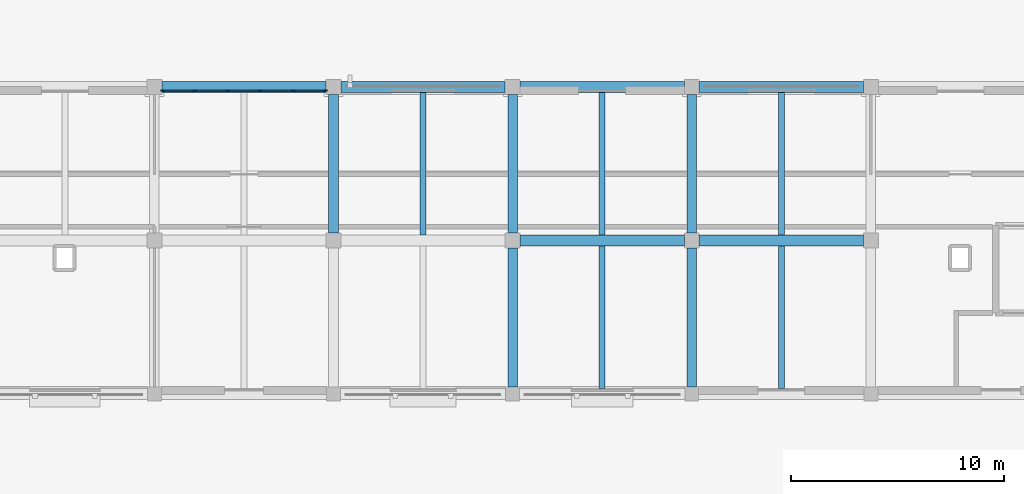
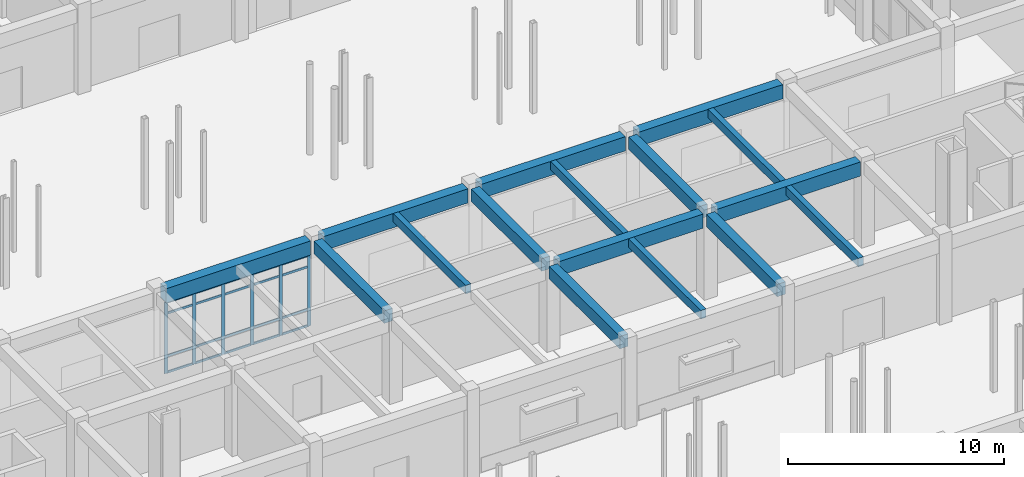
# One storey, part 47 of 121: 26 members, 16 beams, 1 element without a shape of its own.
"""IFC4 building model written with IfcOpenShell, lengths in metres."""

from ifc_helpers import new_model, si_unit, direction, frame, origin, origin_2d, place, context, subcontext, project, spatial, rectangle, extrude, material, material_profile, profile_set, type_object, element, aggregate, save


model = new_model("IFC4")

# Units and contexts
model_context = context("Model", 3, precision=1e-05, world=origin(), true_north=direction((0.0, 1.0)))
body_context = subcontext(model_context, "Body", "Model", "MODEL_VIEW")
ifc_project = project(units=[si_unit("LENGTHUNIT", "METRE"), si_unit("AREAUNIT", "SQUARE_METRE"), si_unit("VOLUMEUNIT", "CUBIC_METRE"), si_unit("PLANEANGLEUNIT", "RADIAN"), si_unit("MASSUNIT", "GRAM", prefix="KILO")], contexts=[model_context])

# Site, building, storey
site_placement = place(None, origin())
site = spatial("IfcSite", under=ifc_project, at=site_placement, CompositionType="ELEMENT")
building_placement = place(site_placement, origin())
building = spatial("IfcBuilding", under=site, at=building_placement, Name="Malvenik Polytechnic", CompositionType="ELEMENT")
storey_placement = place(building_placement, origin())
storey = spatial("IfcBuildingStorey", under=building, at=storey_placement, Name="L00", CompositionType="ELEMENT", Elevation=0.0)

# Curtain wall, members
ifc_material_1 = material(Name="Anodised aluminium 6060-T6", Category="aluminium")
curtain_wall_type = type_object("IfcCurtainWallType", Name="ARC-CW-CW-01", PredefinedType="NOTDEFINED", material=ifc_material_1)
curtain_wall_placement = place(storey_placement, origin())
curtain_wall = element("IfcCurtainWall", 1, at=curtain_wall_placement, inside=storey, type_object=curtain_wall_type, Name="Unitised Curtain Wall CW-01 L00 #7", PredefinedType="NOTDEFINED")
ifc_material_2 = material(Name="Anodised aluminium", Category="aluminium")
ifc_material_profile_1 = material_profile(ifc_material_2, rectangle(XDim=0.06005859375, YDim=0.179931640625, at=origin_2d()), Name="ALU MULLION 60x180")
ifc_profile_set_1 = profile_set([ifc_material_profile_1], Name="Anodised aluminium")
member_type_1 = type_object("IfcMemberType", Name="ARC-CWM-180", PredefinedType="MULLION", material=ifc_profile_set_1)
member_1_placement = place(storey_placement, frame((33.97802734375, 93.429931640625, 0.0), z_axis=(0.0, 0.0, 1.0), x_axis=(0.0, 1.0, 0.0)))
member_1 = element("IfcMember", 2, at=member_1_placement, type_object=member_type_1, Name="CW-01 mullion 1", PredefinedType="MULLION", context=body_context, shape_type="SweptSolid", body=[
    extrude(rectangle(XDim=0.06005859375, YDim=0.179931640625, at=origin_2d()), origin(), (0.0, 0.0, 1.0), 4.010009765625),
])
member_2_placement = place(storey_placement, frame((35.48876953125, 93.429931640625, 0.0), z_axis=(0.0, 0.0, 1.0), x_axis=(0.0, 1.0, 0.0)))
member_2 = element("IfcMember", 3, at=member_2_placement, type_object=member_type_1, Name="CW-01 mullion 2", PredefinedType="MULLION", context=body_context, shape_type="SweptSolid", body=[
    extrude(rectangle(XDim=0.06005859375, YDim=0.179931640625, at=origin_2d()), origin(), (0.0, 0.0, 1.0), 4.010009765625),
])
member_3_placement = place(storey_placement, frame((37.029541015625, 93.429931640625, 0.0), z_axis=(0.0, 0.0, 1.0), x_axis=(0.0, 1.0, 0.0)))
member_3 = element("IfcMember", 4, at=member_3_placement, type_object=member_type_1, Name="CW-01 mullion 3", PredefinedType="MULLION", context=body_context, shape_type="SweptSolid", body=[
    extrude(rectangle(XDim=0.06005859375, YDim=0.179931640625, at=origin_2d()), origin(), (0.0, 0.0, 1.0), 4.010009765625),
])
member_4_placement = place(storey_placement, frame((38.5703125, 93.429931640625, 0.0), z_axis=(0.0, 0.0, 1.0), x_axis=(0.0, 1.0, 0.0)))
member_4 = element("IfcMember", 5, at=member_4_placement, type_object=member_type_1, Name="CW-01 mullion 4", PredefinedType="MULLION", context=body_context, shape_type="SweptSolid", body=[
    extrude(rectangle(XDim=0.06005859375, YDim=0.179931640625, at=origin_2d()), origin(), (0.0, 0.0, 1.0), 4.010009765625),
])
member_5_placement = place(storey_placement, frame((40.111083984375, 93.429931640625, 0.0), z_axis=(0.0, 0.0, 1.0), x_axis=(0.0, 1.0, 0.0)))
member_5 = element("IfcMember", 6, at=member_5_placement, type_object=member_type_1, Name="CW-01 mullion 5", PredefinedType="MULLION", context=body_context, shape_type="SweptSolid", body=[
    extrude(rectangle(XDim=0.06005859375, YDim=0.179931640625, at=origin_2d()), origin(), (0.0, 0.0, 1.0), 4.010009765625),
])
member_6_placement = place(storey_placement, frame((41.6220703125, 93.429931640625, 0.0), z_axis=(0.0, 0.0, 1.0), x_axis=(0.0, 1.0, 0.0)))
member_6 = element("IfcMember", 7, at=member_6_placement, type_object=member_type_1, Name="CW-01 mullion 6", PredefinedType="MULLION", context=body_context, shape_type="SweptSolid", body=[
    extrude(rectangle(XDim=0.06005859375, YDim=0.179931640625, at=origin_2d()), origin(), (0.0, 0.0, 1.0), 4.010009765625),
])
ifc_material_profile_2 = material_profile(ifc_material_2, rectangle(XDim=0.06005859375, YDim=0.1201171875, at=origin_2d()), Name="ALU TRANSOM 60x120")
ifc_profile_set_2 = profile_set([ifc_material_profile_2], Name="Anodised aluminium")
member_type_2 = type_object("IfcMemberType", Name="ARC-CWT-120", PredefinedType="USERDEFINED", material=ifc_profile_set_2)
member_7_placement = place(storey_placement, frame((34.008056640625, 93.429931640625, 0.030029296875), z_axis=(1.0, 0.0, 0.0), x_axis=(0.0, 1.0, 0.0)))
member_7 = element("IfcMember", 8, at=member_7_placement, type_object=member_type_2, Name="CW-01 transom 1.1", ObjectType="TRANSOM", PredefinedType="USERDEFINED", context=body_context, shape_type="SweptSolid", body=[
    extrude(rectangle(XDim=0.06005859375, YDim=0.1201171875, at=origin_2d()), origin(), (0.0, 0.0, 1.0), 1.45068359375),
])
member_8_placement = place(storey_placement, frame((34.008056640625, 93.429931640625, 0.949951171875), z_axis=(1.0, 0.0, 0.0), x_axis=(0.0, 1.0, 0.0)))
member_8 = element("IfcMember", 9, at=member_8_placement, type_object=member_type_2, Name="CW-01 transom 1.2", ObjectType="TRANSOM", PredefinedType="USERDEFINED", context=body_context, shape_type="SweptSolid", body=[
    extrude(rectangle(XDim=0.06005859375, YDim=0.1201171875, at=origin_2d()), origin(), (0.0, 0.0, 1.0), 1.45068359375),
])
member_9_placement = place(storey_placement, frame((34.008056640625, 93.429931640625, 3.360107421875), z_axis=(1.0, 0.0, 0.0), x_axis=(0.0, 1.0, 0.0)))
member_9 = element("IfcMember", 10, at=member_9_placement, type_object=member_type_2, Name="CW-01 transom 1.3", ObjectType="TRANSOM", PredefinedType="USERDEFINED", context=body_context, shape_type="SweptSolid", body=[
    extrude(rectangle(XDim=0.06005859375, YDim=0.1201171875, at=origin_2d()), origin(), (0.0, 0.0, 1.0), 1.45068359375),
])
member_10_placement = place(storey_placement, frame((34.008056640625, 93.429931640625, 3.97998046875), z_axis=(1.0, 0.0, 0.0), x_axis=(0.0, 1.0, 0.0)))
member_10 = element("IfcMember", 11, at=member_10_placement, type_object=member_type_2, Name="CW-01 transom 1.4", ObjectType="TRANSOM", PredefinedType="USERDEFINED", context=body_context, shape_type="SweptSolid", body=[
    extrude(rectangle(XDim=0.06005859375, YDim=0.1201171875, at=origin_2d()), origin(), (0.0, 0.0, 1.0), 1.45068359375),
])
member_11_placement = place(storey_placement, frame((35.518798828125, 93.429931640625, 0.030029296875), z_axis=(1.0, 0.0, 0.0), x_axis=(0.0, 1.0, 0.0)))
member_11 = element("IfcMember", 12, at=member_11_placement, type_object=member_type_2, Name="CW-01 transom 2.1", ObjectType="TRANSOM", PredefinedType="USERDEFINED", context=body_context, shape_type="SweptSolid", body=[
    extrude(rectangle(XDim=0.06005859375, YDim=0.1201171875, at=origin_2d()), origin(), (0.0, 0.0, 1.0), 1.480712890625),
])
member_12_placement = place(storey_placement, frame((35.518798828125, 93.429931640625, 0.949951171875), z_axis=(1.0, 0.0, 0.0), x_axis=(0.0, 1.0, 0.0)))
member_12 = element("IfcMember", 13, at=member_12_placement, type_object=member_type_2, Name="CW-01 transom 2.2", ObjectType="TRANSOM", PredefinedType="USERDEFINED", context=body_context, shape_type="SweptSolid", body=[
    extrude(rectangle(XDim=0.06005859375, YDim=0.1201171875, at=origin_2d()), origin(), (0.0, 0.0, 1.0), 1.480712890625),
])
member_13_placement = place(storey_placement, frame((35.518798828125, 93.429931640625, 3.360107421875), z_axis=(1.0, 0.0, 0.0), x_axis=(0.0, 1.0, 0.0)))
member_13 = element("IfcMember", 14, at=member_13_placement, type_object=member_type_2, Name="CW-01 transom 2.3", ObjectType="TRANSOM", PredefinedType="USERDEFINED", context=body_context, shape_type="SweptSolid", body=[
    extrude(rectangle(XDim=0.06005859375, YDim=0.1201171875, at=origin_2d()), origin(), (0.0, 0.0, 1.0), 1.480712890625),
])
member_14_placement = place(storey_placement, frame((35.518798828125, 93.429931640625, 3.97998046875), z_axis=(1.0, 0.0, 0.0), x_axis=(0.0, 1.0, 0.0)))
member_14 = element("IfcMember", 15, at=member_14_placement, type_object=member_type_2, Name="CW-01 transom 2.4", ObjectType="TRANSOM", PredefinedType="USERDEFINED", context=body_context, shape_type="SweptSolid", body=[
    extrude(rectangle(XDim=0.06005859375, YDim=0.1201171875, at=origin_2d()), origin(), (0.0, 0.0, 1.0), 1.480712890625),
])
member_15_placement = place(storey_placement, frame((37.0595703125, 93.429931640625, 0.030029296875), z_axis=(1.0, 0.0, 0.0), x_axis=(0.0, 1.0, 0.0)))
member_15 = element("IfcMember", 16, at=member_15_placement, type_object=member_type_2, Name="CW-01 transom 3.1", ObjectType="TRANSOM", PredefinedType="USERDEFINED", context=body_context, shape_type="SweptSolid", body=[
    extrude(rectangle(XDim=0.06005859375, YDim=0.1201171875, at=origin_2d()), origin(), (0.0, 0.0, 1.0), 1.480712890625),
])
member_16_placement = place(storey_placement, frame((37.0595703125, 93.429931640625, 0.949951171875), z_axis=(1.0, 0.0, 0.0), x_axis=(0.0, 1.0, 0.0)))
member_16 = element("IfcMember", 17, at=member_16_placement, type_object=member_type_2, Name="CW-01 transom 3.2", ObjectType="TRANSOM", PredefinedType="USERDEFINED", context=body_context, shape_type="SweptSolid", body=[
    extrude(rectangle(XDim=0.06005859375, YDim=0.1201171875, at=origin_2d()), origin(), (0.0, 0.0, 1.0), 1.480712890625),
])
member_17_placement = place(storey_placement, frame((37.0595703125, 93.429931640625, 3.360107421875), z_axis=(1.0, 0.0, 0.0), x_axis=(0.0, 1.0, 0.0)))
member_17 = element("IfcMember", 18, at=member_17_placement, type_object=member_type_2, Name="CW-01 transom 3.3", ObjectType="TRANSOM", PredefinedType="USERDEFINED", context=body_context, shape_type="SweptSolid", body=[
    extrude(rectangle(XDim=0.06005859375, YDim=0.1201171875, at=origin_2d()), origin(), (0.0, 0.0, 1.0), 1.480712890625),
])
member_18_placement = place(storey_placement, frame((37.0595703125, 93.429931640625, 3.97998046875), z_axis=(1.0, 0.0, 0.0), x_axis=(0.0, 1.0, 0.0)))
member_18 = element("IfcMember", 19, at=member_18_placement, type_object=member_type_2, Name="CW-01 transom 3.4", ObjectType="TRANSOM", PredefinedType="USERDEFINED", context=body_context, shape_type="SweptSolid", body=[
    extrude(rectangle(XDim=0.06005859375, YDim=0.1201171875, at=origin_2d()), origin(), (0.0, 0.0, 1.0), 1.480712890625),
])
member_19_placement = place(storey_placement, frame((38.600341796875, 93.429931640625, 0.030029296875), z_axis=(1.0, 0.0, 0.0), x_axis=(0.0, 1.0, 0.0)))
member_19 = element("IfcMember", 20, at=member_19_placement, type_object=member_type_2, Name="CW-01 transom 4.1", ObjectType="TRANSOM", PredefinedType="USERDEFINED", context=body_context, shape_type="SweptSolid", body=[
    extrude(rectangle(XDim=0.06005859375, YDim=0.1201171875, at=origin_2d()), origin(), (0.0, 0.0, 1.0), 1.48095703125),
])
member_20_placement = place(storey_placement, frame((38.600341796875, 93.429931640625, 0.949951171875), z_axis=(1.0, 0.0, 0.0), x_axis=(0.0, 1.0, 0.0)))
member_20 = element("IfcMember", 21, at=member_20_placement, type_object=member_type_2, Name="CW-01 transom 4.2", ObjectType="TRANSOM", PredefinedType="USERDEFINED", context=body_context, shape_type="SweptSolid", body=[
    extrude(rectangle(XDim=0.06005859375, YDim=0.1201171875, at=origin_2d()), origin(), (0.0, 0.0, 1.0), 1.48095703125),
])
member_21_placement = place(storey_placement, frame((38.600341796875, 93.429931640625, 3.360107421875), z_axis=(1.0, 0.0, 0.0), x_axis=(0.0, 1.0, 0.0)))
member_21 = element("IfcMember", 22, at=member_21_placement, type_object=member_type_2, Name="CW-01 transom 4.3", ObjectType="TRANSOM", PredefinedType="USERDEFINED", context=body_context, shape_type="SweptSolid", body=[
    extrude(rectangle(XDim=0.06005859375, YDim=0.1201171875, at=origin_2d()), origin(), (0.0, 0.0, 1.0), 1.48095703125),
])
member_22_placement = place(storey_placement, frame((38.600341796875, 93.429931640625, 3.97998046875), z_axis=(1.0, 0.0, 0.0), x_axis=(0.0, 1.0, 0.0)))
member_22 = element("IfcMember", 23, at=member_22_placement, type_object=member_type_2, Name="CW-01 transom 4.4", ObjectType="TRANSOM", PredefinedType="USERDEFINED", context=body_context, shape_type="SweptSolid", body=[
    extrude(rectangle(XDim=0.06005859375, YDim=0.1201171875, at=origin_2d()), origin(), (0.0, 0.0, 1.0), 1.48095703125),
])
member_23_placement = place(storey_placement, frame((40.14111328125, 93.429931640625, 0.030029296875), z_axis=(1.0, 0.0, 0.0), x_axis=(0.0, 1.0, 0.0)))
member_23 = element("IfcMember", 24, at=member_23_placement, type_object=member_type_2, Name="CW-01 transom 5.1", ObjectType="TRANSOM", PredefinedType="USERDEFINED", context=body_context, shape_type="SweptSolid", body=[
    extrude(rectangle(XDim=0.06005859375, YDim=0.1201171875, at=origin_2d()), origin(), (0.0, 0.0, 1.0), 1.450927734375),
])
member_24_placement = place(storey_placement, frame((40.14111328125, 93.429931640625, 0.949951171875), z_axis=(1.0, 0.0, 0.0), x_axis=(0.0, 1.0, 0.0)))
member_24 = element("IfcMember", 25, at=member_24_placement, type_object=member_type_2, Name="CW-01 transom 5.2", ObjectType="TRANSOM", PredefinedType="USERDEFINED", context=body_context, shape_type="SweptSolid", body=[
    extrude(rectangle(XDim=0.06005859375, YDim=0.1201171875, at=origin_2d()), origin(), (0.0, 0.0, 1.0), 1.450927734375),
])
member_25_placement = place(storey_placement, frame((40.14111328125, 93.429931640625, 3.360107421875), z_axis=(1.0, 0.0, 0.0), x_axis=(0.0, 1.0, 0.0)))
member_25 = element("IfcMember", 26, at=member_25_placement, type_object=member_type_2, Name="CW-01 transom 5.3", ObjectType="TRANSOM", PredefinedType="USERDEFINED", context=body_context, shape_type="SweptSolid", body=[
    extrude(rectangle(XDim=0.06005859375, YDim=0.1201171875, at=origin_2d()), origin(), (0.0, 0.0, 1.0), 1.450927734375),
])
member_26_placement = place(storey_placement, frame((40.14111328125, 93.429931640625, 3.97998046875), z_axis=(1.0, 0.0, 0.0), x_axis=(0.0, 1.0, 0.0)))
member_26 = element("IfcMember", 27, at=member_26_placement, type_object=member_type_2, Name="CW-01 transom 5.4", ObjectType="TRANSOM", PredefinedType="USERDEFINED", context=body_context, shape_type="SweptSolid", body=[
    extrude(rectangle(XDim=0.06005859375, YDim=0.1201171875, at=origin_2d()), origin(), (0.0, 0.0, 1.0), 1.450927734375),
])
aggregate(curtain_wall, [member_1, member_2, member_3, member_4, member_5, member_6, member_7, member_8, member_9, member_10, member_11, member_12, member_13, member_14, member_15, member_16, member_17, member_18, member_19, member_20, member_21, member_22, member_23, member_24, member_25, member_26])

# Beams
ifc_material_3 = material(Name="Concrete C35/45", Category="concrete")
ifc_material_profile_3 = material_profile(ifc_material_3, rectangle(XDim=0.5, YDim=0.800048828125, at=origin_2d()), Name="RC BM 500x800")
ifc_profile_set_3 = profile_set([ifc_material_profile_3], Name="Concrete C35/45")
beam_type_1 = type_object("IfcBeamType", Name="STR-BM-B-02", PredefinedType="BEAM", material=ifc_profile_set_3)
beam_1_placement = place(storey_placement, frame((50.748046875, 86.39990234375, 4.419921875), z_axis=(1.0, 0.0, 0.0), x_axis=(0.0, 1.0, 0.0)))
element("IfcBeam", 28, at=beam_1_placement, inside=storey, type_object=beam_type_1, Name="Primary Beam B-02 L00 #632", PredefinedType="BEAM", context=body_context, shape_type="SweptSolid", body=[
    extrude(rectangle(XDim=0.5, YDim=0.800048828125, at=origin_2d()), origin(), (0.0, 0.0, 1.0), 7.703857421875),
])
beam_2_placement = place(storey_placement, frame((59.14794921875, 86.39990234375, 4.419921875), z_axis=(1.0, 0.0, 0.0), x_axis=(0.0, 1.0, 0.0)))
element("IfcBeam", 29, at=beam_2_placement, inside=storey, type_object=beam_type_1, Name="Primary Beam B-02 L00 #633", PredefinedType="BEAM", context=body_context, shape_type="SweptSolid", body=[
    extrude(rectangle(XDim=0.5, YDim=0.800048828125, at=origin_2d()), origin(), (0.0, 0.0, 1.0), 7.7041015625),
])
ifc_material_profile_4 = material_profile(ifc_material_3, rectangle(XDim=0.449951171875, YDim=0.699951171875, at=origin_2d()), Name="RC BM 450x700")
ifc_profile_set_4 = profile_set([ifc_material_profile_4], Name="Concrete C35/45")
beam_type_2 = type_object("IfcBeamType", Name="STR-BM-B-04", PredefinedType="BEAM", material=ifc_profile_set_4)
beam_3_placement = place(storey_placement, frame((42.0, 86.748046875, 4.469970703125), z_axis=(0.0, 1.0, 0.0), x_axis=(-1.0, 0.0, 0.0)))
element("IfcBeam", 30, at=beam_3_placement, inside=storey, type_object=beam_type_2, Name="Transverse Beam B-04 L00 #743", PredefinedType="BEAM", context=body_context, shape_type="SweptSolid", body=[
    extrude(rectangle(XDim=0.449951171875, YDim=0.699951171875, at=origin_2d()), origin(), (0.0, 0.0, 1.0), 6.50390625),
])
beam_4_placement = place(storey_placement, frame((50.39990234375, 79.52294921875, 4.469970703125), z_axis=(0.0, 1.0, 0.0), x_axis=(-1.0, 0.0, 0.0)))
element("IfcBeam", 31, at=beam_4_placement, inside=storey, type_object=beam_type_2, Name="Transverse Beam B-04 L00 #750", PredefinedType="BEAM", context=body_context, shape_type="SweptSolid", body=[
    extrude(rectangle(XDim=0.449951171875, YDim=0.699951171875, at=origin_2d()), origin(), (0.0, 0.0, 1.0), 6.529052734375),
])
beam_5_placement = place(storey_placement, frame((50.39990234375, 86.748046875, 4.469970703125), z_axis=(0.0, 1.0, 0.0), x_axis=(-1.0, 0.0, 0.0)))
element("IfcBeam", 32, at=beam_5_placement, inside=storey, type_object=beam_type_2, Name="Transverse Beam B-04 L00 #751", PredefinedType="BEAM", context=body_context, shape_type="SweptSolid", body=[
    extrude(rectangle(XDim=0.449951171875, YDim=0.699951171875, at=origin_2d()), origin(), (0.0, 0.0, 1.0), 6.50390625),
])
beam_6_placement = place(storey_placement, frame((58.800048828125, 79.52294921875, 4.469970703125), z_axis=(0.0, 1.0, 0.0), x_axis=(-1.0, 0.0, 0.0)))
element("IfcBeam", 33, at=beam_6_placement, inside=storey, type_object=beam_type_2, Name="Transverse Beam B-04 L00 #756", PredefinedType="BEAM", context=body_context, shape_type="SweptSolid", body=[
    extrude(rectangle(XDim=0.449951171875, YDim=0.699951171875, at=origin_2d()), origin(), (0.0, 0.0, 1.0), 6.529052734375),
])
beam_7_placement = place(storey_placement, frame((58.800048828125, 86.748046875, 4.469970703125), z_axis=(0.0, 1.0, 0.0), x_axis=(-1.0, 0.0, 0.0)))
element("IfcBeam", 34, at=beam_7_placement, inside=storey, type_object=beam_type_2, Name="Transverse Beam B-04 L00 #757", PredefinedType="BEAM", context=body_context, shape_type="SweptSolid", body=[
    extrude(rectangle(XDim=0.449951171875, YDim=0.699951171875, at=origin_2d()), origin(), (0.0, 0.0, 1.0), 6.50390625),
])
ifc_material_4 = material(Name="Concrete C30/37", Category="concrete")
ifc_material_profile_5 = material_profile(ifc_material_4, rectangle(XDim=0.280029296875, YDim=0.47998046875, at=origin_2d()), Name="RC JST 280x480")
ifc_profile_set_5 = profile_set([ifc_material_profile_5], Name="Concrete C30/37")
beam_type_3 = type_object("IfcBeamType", Name="STR-BM-J-01", PredefinedType="JOIST", material=ifc_profile_set_5)
for number, where, z_axis, x_axis, name in (
    (35, (46.199951171875, 86.64794921875, 4.580078125), (0.0, 1.0, 0.0), (-1.0, 0.0, 0.0), "Secondary Rib Joist J-01 L00 #884"),
    (36, (54.60009765625, 79.4580078125, 4.580078125), (0.0, 1.0, 0.0), (-1.0, 0.0, 0.0), "Secondary Rib Joist J-01 L00 #889"),
    (37, (54.60009765625, 86.64794921875, 4.580078125), (0.0, 1.0, 0.0), (-1.0, 0.0, 0.0), "Secondary Rib Joist J-01 L00 #890"),
    (38, (63.0, 79.4580078125, 4.580078125), (0.0, 1.0, 0.0), (-1.0, 0.0, 0.0), "Secondary Rib Joist J-01 L00 #893"),
    (39, (63.0, 86.64794921875, 4.580078125), (0.0, 1.0, 0.0), (-1.0, 0.0, 0.0), "Secondary Rib Joist J-01 L00 #894"),
):
    element("IfcBeam", number, at=place(storey_placement, frame(where, z_axis=z_axis, x_axis=x_axis)), inside=storey, type_object=beam_type_3, Name=name, PredefinedType="JOIST", context=body_context, shape_type="SweptSolid", body=[
        extrude(rectangle(XDim=0.280029296875, YDim=0.47998046875, at=origin_2d()), origin(), (0.0, 0.0, 1.0), 6.694091796875),
    ])
ifc_material_5 = material(Name="Precast concrete C40/50", Category="concrete")
ifc_material_profile_6 = material_profile(ifc_material_5, rectangle(XDim=0.52001953125, YDim=0.800048828125, at=origin_2d()), Name="PC SPN 520x800")
ifc_profile_set_6 = profile_set([ifc_material_profile_6], Name="Precast concrete C40/50")
beam_type_4 = type_object("IfcBeamType", Name="STR-BM-SP-01", PredefinedType="SPANDREL", material=ifc_profile_set_6)
for number, where, z_axis, x_axis, name in (
    (40, (33.947998046875, 93.60009765625, 4.419921875), (1.0, 0.0, 0.0), (0.0, 1.0, 0.0), "Primary Beam SP-01 L00 #644"),
    (41, (42.347900390625, 93.60009765625, 4.419921875), (1.0, 0.0, 0.0), (0.0, 1.0, 0.0), "Primary Beam SP-01 L00 #645"),
):
    element("IfcBeam", number, at=place(storey_placement, frame(where, z_axis=z_axis, x_axis=x_axis)), inside=storey, type_object=beam_type_4, Name=name, PredefinedType="SPANDREL", context=body_context, shape_type="SweptSolid", body=[
        extrude(rectangle(XDim=0.52001953125, YDim=0.800048828125, at=origin_2d()), origin(), (0.0, 0.0, 1.0), 7.7041015625),
    ])
beam_8_placement = place(storey_placement, frame((50.748046875, 93.60009765625, 4.419921875), z_axis=(1.0, 0.0, 0.0), x_axis=(0.0, 1.0, 0.0)))
element("IfcBeam", 42, at=beam_8_placement, inside=storey, type_object=beam_type_4, Name="Primary Beam SP-01 L00 #646", PredefinedType="SPANDREL", context=body_context, shape_type="SweptSolid", body=[
    extrude(rectangle(XDim=0.52001953125, YDim=0.800048828125, at=origin_2d()), origin(), (0.0, 0.0, 1.0), 7.703857421875),
])
beam_9_placement = place(storey_placement, frame((59.14794921875, 93.60009765625, 4.419921875), z_axis=(1.0, 0.0, 0.0), x_axis=(0.0, 1.0, 0.0)))
element("IfcBeam", 43, at=beam_9_placement, inside=storey, type_object=beam_type_4, Name="Primary Beam SP-01 L00 #647", PredefinedType="SPANDREL", context=body_context, shape_type="SweptSolid", body=[
    extrude(rectangle(XDim=0.52001953125, YDim=0.800048828125, at=origin_2d()), origin(), (0.0, 0.0, 1.0), 7.7041015625),
])

save(model, "model.ifc")
